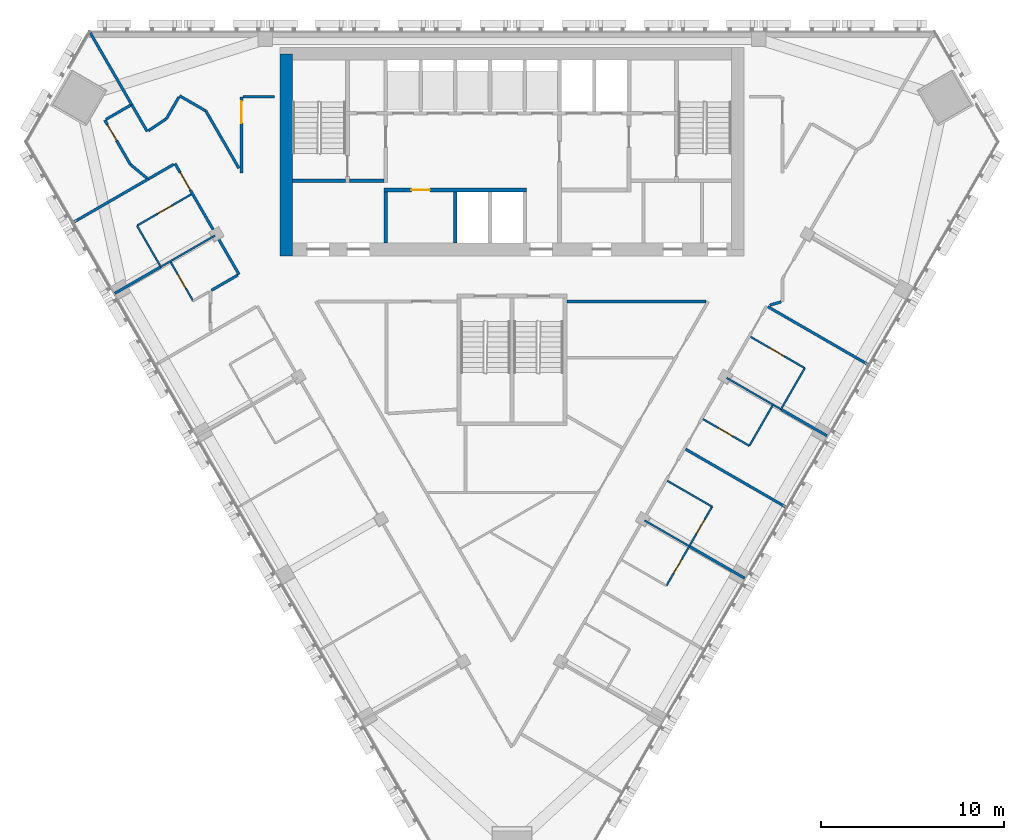
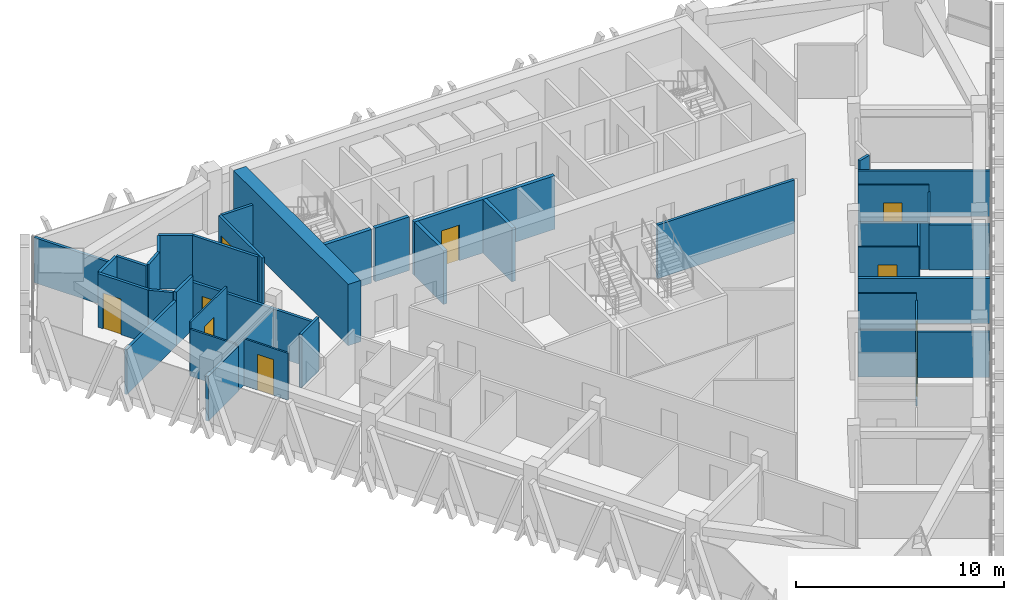
# One storey, part 10 of 16: 40 walls, 10 doors, 10 openings.
"""IFC4 building model written with IfcOpenShell, lengths in metres."""

from ifc_helpers import new_model, si_unit, direction, frame, frame_2d, origin, place, context, subcontext, project, spatial, rectangle, extrude, material, layer, layer_set, type_object, element, fill, save


model = new_model("IFC4")

# Units and contexts
model_context = context("Model", 3, precision=1e-05, world=origin(), true_north=direction((0.0, 1.0)))
body_context = subcontext(model_context, "Body", "Model", "MODEL_VIEW")
ifc_project = project(units=[si_unit("LENGTHUNIT", "METRE"), si_unit("AREAUNIT", "SQUARE_METRE"), si_unit("VOLUMEUNIT", "CUBIC_METRE"), si_unit("PLANEANGLEUNIT", "RADIAN"), si_unit("MASSUNIT", "GRAM", prefix="KILO")], contexts=[model_context])

# Site, building, storey
site_placement = place(None, origin())
site = spatial("IfcSite", under=ifc_project, at=site_placement, CompositionType="ELEMENT")
building_placement = place(site_placement, origin())
building = spatial("IfcBuilding", under=site, at=building_placement, Name="Altiplano Prism Tower", CompositionType="ELEMENT")
storey_placement = place(building_placement, frame((0.0, 0.0, 167.39990234375)))
storey = spatial("IfcBuildingStorey", under=building, at=storey_placement, Name="L43", CompositionType="ELEMENT", Elevation=167.39990234375)

# Walls
ifc_material_1 = material(Name="Concrete C60/75", Category="concrete")
ifc_layer_1 = layer(ifc_material_1, 0.699951171875)
ifc_layer_set_1 = layer_set([ifc_layer_1], Name="Concrete C60/75")
wall_type_1 = type_object("IfcWallType", Name="Core wall 700", PredefinedType="SHEAR", material=ifc_layer_set_1)
wall_1_placement = place(storey_placement, frame((72.64990234375, 103.75, 0.0), z_axis=(0.0, 0.0, 1.0), x_axis=(0.0, -1.0, 0.0)))
element("IfcWall", 1, at=wall_1_placement, inside=storey, type_object=wall_type_1, Name="Core wall W L43", PredefinedType="SHEAR", context=body_context, shape_type="SweptSolid", body=[
    extrude(rectangle(XDim=11.050048828125, YDim=0.699951171875, at=frame_2d((5.52490234375, 0.0))), origin(), (0.0, 0.0, 1.0), 3.60009765625),
])
ifc_material_2 = material(Name="Plasterboard on steel stud", Category="steel")
ifc_layer_2 = layer(ifc_material_2, 0.10009765625)
ifc_layer_set_2 = layer_set([ifc_layer_2], Name="Plasterboard on steel stud")
wall_type_2 = type_object("IfcWallType", Name="Partition 100 unit", PredefinedType="PARTITIONING", material=ifc_layer_set_2)
wall_2_placement = place(storey_placement, frame((65.74365234375, 92.15966796875, 0.0), z_axis=(0.0, 0.0, 1.0), x_axis=(-0.50001820224, 0.866014894461, 0.0)))
element("IfcWall", 2, at=wall_2_placement, inside=storey, type_object=wall_type_2, Name="Partition P02 L43 040", PredefinedType="PARTITIONING", context=body_context, shape_type="SweptSolid", body=[
    extrude(rectangle(XDim=2.52490234375, YDim=0.10009765625, at=frame_2d((1.262451171875, 0.0))), origin(), (0.0, 0.0, 1.0), 2.75),
])

# Wall, opening, door
wall_3_placement = place(storey_placement, frame((64.481201171875, 94.34619140625, 0.0), z_axis=(0.0, 0.0, 1.0), x_axis=(0.866001587311, 0.500041249073, 0.0)))
wall_3 = element("IfcWall", 3, at=wall_3_placement, inside=storey, type_object=wall_type_2, Name="Partition P02 L43 041", PredefinedType="PARTITIONING", context=body_context, shape_type="SweptSolid", body=[
    extrude(rectangle(XDim=3.425048828125, YDim=0.10009765625, at=frame_2d((1.71240234375, 0.0))), origin(), (0.0, 0.0, 1.0), 3.150146484375),
])
opening_1_placement = place(wall_3_placement, frame((1.300048828125, 0.0, 0.0)))
opening_1 = element("IfcOpeningElement", 4, at=opening_1_placement, cuts=wall_3, Name="Opening D1515", PredefinedType="OPENING", context=body_context, shape_type="SweptSolid", body=[
    extrude(rectangle(XDim=0.89990234375, YDim=2.10009765625, at=frame_2d((0.449951171875, 1.050048828125))), frame((0.0, 0.060546875, 0.0), z_axis=(0.0, -1.0, 0.0), x_axis=(1.0, 0.0, 0.0)), (0.0, 0.0, 1.0), 0.12109375),
])
ifc_material_3 = material(Name="Timber", Category="wood")
door_type_1 = type_object("IfcDoorType", Name="Accessible ensuite door 900 x 2100", OperationType="NOTDEFINED", PredefinedType="NOTDEFINED", material=ifc_material_3)
door_1_placement = place(opening_1_placement, origin())
door_1 = element("IfcDoor", 5, at=door_1_placement, inside=storey, type_object=door_type_1, Name="Door D1515", OperationType="SINGLE_SWING_RIGHT", OverallHeight=2.10009765625, OverallWidth=0.89990234375, PredefinedType="NOTDEFINED", context=body_context, shape_type="SweptSolid", body=[
    extrude(rectangle(XDim=0.89990234375, YDim=2.10009765625, at=frame_2d((0.449951171875, 1.050048828125))), frame((0.0, 0.02490234375, 0.0), z_axis=(0.0, -1.0, 0.0), x_axis=(1.0, 0.0, 0.0)), (0.0, 0.0, 1.0), 0.050048828125),
])
fill(opening_1, door_1)

wall_4_placement = place(storey_placement, frame((67.55078125, 90.2294921875, 0.0), z_axis=(0.0, 0.0, 1.0), x_axis=(-0.500018594424, 0.866014668023, 0.0)))
wall_4 = element("IfcWall", 6, at=wall_4_placement, inside=storey, type_object=wall_type_2, Name="Partition P02 L43 045", PredefinedType="PARTITIONING", context=body_context, shape_type="SweptSolid", body=[
    extrude(rectangle(XDim=2.4501953125, YDim=0.10009765625, at=frame_2d((1.22509765625, 0.0))), origin(), (0.0, 0.0, 1.0), 2.75),
])
opening_2_placement = place(wall_4_placement, frame((0.800048828125, 0.0, 0.0)))
opening_2 = element("IfcOpeningElement", 7, at=opening_2_placement, cuts=wall_4, Name="Opening D1517", PredefinedType="OPENING", context=body_context, shape_type="SweptSolid", body=[
    extrude(rectangle(XDim=0.89990234375, YDim=2.10009765625, at=frame_2d((0.449951171875, 1.050048828125))), frame((0.0, 0.060546875, 0.0), z_axis=(0.0, -1.0, 0.0), x_axis=(1.0, 0.0, 0.0)), (0.0, 0.0, 1.0), 0.12109375),
])
door_type_2 = type_object("IfcDoorType", Name="Ensuite door 900 x 2100", OperationType="NOTDEFINED", PredefinedType="NOTDEFINED", material=ifc_material_3)
door_2_placement = place(opening_2_placement, origin())
door_2 = element("IfcDoor", 8, at=door_2_placement, inside=storey, type_object=door_type_2, Name="Door D1517", OperationType="SINGLE_SWING_LEFT", OverallHeight=2.10009765625, OverallWidth=0.89990234375, PredefinedType="NOTDEFINED", context=body_context, shape_type="SweptSolid", body=[
    extrude(rectangle(XDim=0.89990234375, YDim=2.10009765625, at=frame_2d((0.449951171875, 1.050048828125))), frame((0.0, 0.02490234375, 0.0), z_axis=(0.0, -1.0, 0.0), x_axis=(1.0, 0.0, 0.0)), (0.0, 0.0, 1.0), 0.050048828125),
])
fill(opening_2, door_2)

# Wall
wall_5_placement = place(storey_placement, frame((93.502685546875, 80.3837890625, 0.0), z_axis=(0.0, 0.0, 1.0), x_axis=(0.866011447264, -0.500024172624, 0.0)))
element("IfcWall", 9, at=wall_5_placement, inside=storey, type_object=wall_type_2, Name="Partition P02 L43 064", PredefinedType="PARTITIONING", context=body_context, shape_type="SweptSolid", body=[
    extrude(rectangle(XDim=2.824951171875, YDim=0.10009765625, at=frame_2d((1.41259765625, 0.0))), origin(), (0.0, 0.0, 1.0), 3.150146484375),
])

# Wall, openings, doors
wall_6_placement = place(storey_placement, frame((95.94921875, 78.97119140625, 0.0), z_axis=(0.0, 0.0, 1.0), x_axis=(-0.500004234368, -0.866022959057, 0.0)))
wall_6 = element("IfcWall", 10, at=wall_6_placement, inside=storey, type_object=wall_type_2, Name="Partition P02 L43 065", PredefinedType="PARTITIONING", context=body_context, shape_type="SweptSolid", body=[
    extrude(rectangle(XDim=5.0, YDim=0.10009765625, at=frame_2d((2.5, 0.0))), origin(), (0.0, 0.0, 1.0), 2.75),
])
opening_3_placement = place(wall_6_placement, frame((3.300048828125, 0.0, 0.0)))
opening_3 = element("IfcOpeningElement", 11, at=opening_3_placement, cuts=wall_6, Name="Opening D1529", PredefinedType="OPENING", context=body_context, shape_type="SweptSolid", body=[
    extrude(rectangle(XDim=0.89990234375, YDim=2.10009765625, at=frame_2d((0.449951171875, 1.050048828125))), frame((0.0, 0.060546875, 0.0), z_axis=(0.0, -1.0, 0.0), x_axis=(1.0, 0.0, 0.0)), (0.0, 0.0, 1.0), 0.12109375),
])
opening_4_placement = place(wall_6_placement, frame((0.800048828125, 0.0, 0.0)))
opening_4 = element("IfcOpeningElement", 12, at=opening_4_placement, cuts=wall_6, Name="Opening D1531", PredefinedType="OPENING", context=body_context, shape_type="SweptSolid", body=[
    extrude(rectangle(XDim=0.89990234375, YDim=2.10009765625, at=frame_2d((0.449951171875, 1.050048828125))), frame((0.0, 0.060546875, 0.0), z_axis=(0.0, -1.0, 0.0), x_axis=(1.0, 0.0, 0.0)), (0.0, 0.0, 1.0), 0.12109375),
])
door_3_placement = place(opening_3_placement, origin())
door_3 = element("IfcDoor", 13, at=door_3_placement, inside=storey, type_object=door_type_2, Name="Door D1529", OperationType="SINGLE_SWING_LEFT", OverallHeight=2.10009765625, OverallWidth=0.89990234375, PredefinedType="NOTDEFINED", context=body_context, shape_type="SweptSolid", body=[
    extrude(rectangle(XDim=0.89990234375, YDim=2.10009765625, at=frame_2d((0.449951171875, 1.050048828125))), frame((0.0, 0.02490234375, 0.0), z_axis=(0.0, -1.0, 0.0), x_axis=(1.0, 0.0, 0.0)), (0.0, 0.0, 1.0), 0.050048828125),
])
fill(opening_3, door_3)
door_4_placement = place(opening_4_placement, origin())
door_4 = element("IfcDoor", 14, at=door_4_placement, inside=storey, type_object=door_type_2, Name="Door D1531", OperationType="SINGLE_SWING_LEFT", OverallHeight=2.10009765625, OverallWidth=0.89990234375, PredefinedType="NOTDEFINED", context=body_context, shape_type="SweptSolid", body=[
    extrude(rectangle(XDim=0.89990234375, YDim=2.10009765625, at=frame_2d((0.449951171875, 1.050048828125))), frame((0.0, 0.02490234375, 0.0), z_axis=(0.0, -1.0, 0.0), x_axis=(1.0, 0.0, 0.0)), (0.0, 0.0, 1.0), 0.050048828125),
])
fill(opening_4, door_4)

# Wall
wall_7_placement = place(storey_placement, frame((99.2607421875, 84.507080078125, 0.0), z_axis=(0.0, 0.0, 1.0), x_axis=(-0.499990435942, -0.866030925526, 0.0)))
element("IfcWall", 15, at=wall_7_placement, inside=storey, type_object=wall_type_2, Name="Partition P02 L43 067", PredefinedType="PARTITIONING", context=body_context, shape_type="SweptSolid", body=[
    extrude(rectangle(XDim=2.5498046875, YDim=0.10009765625, at=frame_2d((1.27490234375, 0.0))), origin(), (0.0, 0.0, 1.0), 2.75),
])

# Wall, opening, door
wall_8_placement = place(storey_placement, frame((97.98583984375, 82.298828125, 0.0), z_axis=(0.0, 0.0, 1.0), x_axis=(-0.866046596414, 0.499963291492, 0.0)))
wall_8 = element("IfcWall", 16, at=wall_8_placement, inside=storey, type_object=wall_type_2, Name="Partition P02 L43 068", PredefinedType="PARTITIONING", context=body_context, shape_type="SweptSolid", body=[
    extrude(rectangle(XDim=2.925048828125, YDim=0.10009765625, at=frame_2d((1.46240234375, 0.0))), origin(), (0.0, 0.0, 1.0), 3.150146484375),
])
opening_5_placement = place(wall_8_placement, frame((1.050048828125, 0.0, 0.0)))
opening_5 = element("IfcOpeningElement", 17, at=opening_5_placement, cuts=wall_8, Name="Opening D1533", PredefinedType="OPENING", context=body_context, shape_type="SweptSolid", body=[
    extrude(rectangle(XDim=0.89990234375, YDim=2.10009765625, at=frame_2d((0.449951171875, 1.050048828125))), frame((0.0, 0.060546875, 0.0), z_axis=(0.0, -1.0, 0.0), x_axis=(1.0, 0.0, 0.0)), (0.0, 0.0, 1.0), 0.12109375),
])
door_5_placement = place(opening_5_placement, origin())
door_5 = element("IfcDoor", 18, at=door_5_placement, inside=storey, type_object=door_type_2, Name="Door D1533", OperationType="SINGLE_SWING_RIGHT", OverallHeight=2.10009765625, OverallWidth=0.89990234375, PredefinedType="NOTDEFINED", context=body_context, shape_type="SweptSolid", body=[
    extrude(rectangle(XDim=0.89990234375, YDim=2.10009765625, at=frame_2d((0.449951171875, 1.050048828125))), frame((0.0, 0.02490234375, 0.0), z_axis=(0.0, -1.0, 0.0), x_axis=(1.0, 0.0, 0.0)), (0.0, 0.0, 1.0), 0.050048828125),
])
fill(opening_5, door_5)

wall_9_placement = place(storey_placement, frame((98.052734375, 88.2646484375, 0.0), z_axis=(0.0, 0.0, 1.0), x_axis=(0.866001587311, -0.500041249073, 0.0)))
wall_9 = element("IfcWall", 19, at=wall_9_placement, inside=storey, type_object=wall_type_2, Name="Partition P02 L43 071", PredefinedType="PARTITIONING", context=body_context, shape_type="SweptSolid", body=[
    extrude(rectangle(XDim=3.425048828125, YDim=0.10009765625, at=frame_2d((1.71240234375, 0.0))), origin(), (0.0, 0.0, 1.0), 3.150146484375),
])
opening_6_placement = place(wall_9_placement, frame((1.22509765625, 0.0, 0.0)))
opening_6 = element("IfcOpeningElement", 20, at=opening_6_placement, cuts=wall_9, Name="Opening D1535", PredefinedType="OPENING", context=body_context, shape_type="SweptSolid", body=[
    extrude(rectangle(XDim=0.89990234375, YDim=2.10009765625, at=frame_2d((0.449951171875, 1.050048828125))), frame((0.0, 0.060546875, 0.0), z_axis=(0.0, -1.0, 0.0), x_axis=(1.0, 0.0, 0.0)), (0.0, 0.0, 1.0), 0.12109375),
])
door_6_placement = place(opening_6_placement, origin())
door_6 = element("IfcDoor", 21, at=door_6_placement, inside=storey, type_object=door_type_1, Name="Door D1535", OperationType="SINGLE_SWING_RIGHT", OverallHeight=2.10009765625, OverallWidth=0.89990234375, PredefinedType="NOTDEFINED", context=body_context, shape_type="SweptSolid", body=[
    extrude(rectangle(XDim=0.89990234375, YDim=2.10009765625, at=frame_2d((0.449951171875, 1.050048828125))), frame((0.0, 0.02490234375, 0.0), z_axis=(0.0, -1.0, 0.0), x_axis=(1.0, 0.0, 0.0)), (0.0, 0.0, 1.0), 0.050048828125),
])
fill(opening_6, door_6)

# Walls
wall_10_placement = place(storey_placement, frame((101.018798828125, 86.552001953125, 0.0), z_axis=(0.0, 0.0, 1.0), x_axis=(-0.500006934395, -0.866021400173, 0.0)))
element("IfcWall", 22, at=wall_10_placement, inside=storey, type_object=wall_type_2, Name="Partition P02 L43 072", PredefinedType="PARTITIONING", context=body_context, shape_type="SweptSolid", body=[
    extrude(rectangle(XDim=2.60009765625, YDim=0.10009765625, at=frame_2d((1.300048828125, 0.0))), origin(), (0.0, 0.0, 1.0), 2.75),
])
ifc_layer_3 = layer(ifc_material_2, 0.10009765625)
ifc_layer_set_3 = layer_set([ifc_layer_3], Name="Plasterboard on steel stud")
wall_type_3 = type_object("IfcWallType", Name="Partition 100 wet", PredefinedType="PARTITIONING", material=ifc_layer_set_3)
wall_11_placement = place(storey_placement, frame((65.763916015625, 92.084716796875, 0.0), z_axis=(0.0, 0.0, 1.0), x_axis=(0.866032163869, 0.499988291006, 0.0)))
element("IfcWall", 23, at=wall_11_placement, inside=storey, type_object=wall_type_3, Name="Partition P03 L43 043", PredefinedType="PARTITIONING", context=body_context, shape_type="SweptSolid", body=[
    extrude(rectangle(XDim=3.44482421875, YDim=0.10009765625, at=frame_2d((1.722412109375, 0.0))), origin(), (0.0, 0.0, 1.0), 2.75),
])
wall_12_placement = place(storey_placement, frame((94.656005859375, 76.831298828125, 0.0), z_axis=(0.0, 0.0, 1.0), x_axis=(-0.866042014628, 0.499971228071, 0.0)))
element("IfcWall", 24, at=wall_12_placement, inside=storey, type_object=wall_type_3, Name="Partition P03 L43 063", PredefinedType="PARTITIONING", context=body_context, shape_type="SweptSolid", body=[
    extrude(rectangle(XDim=2.775146484375, YDim=0.10009765625, at=frame_2d((1.3876953125, 0.0))), origin(), (0.0, 0.0, 1.0), 2.75),
])
wall_13_placement = place(storey_placement, frame((99.71875, 84.30029296875, 0.0), z_axis=(0.0, 0.0, 1.0), x_axis=(-0.866001587311, 0.500041249073, 0.0)))
element("IfcWall", 25, at=wall_13_placement, inside=storey, type_object=wall_type_3, Name="Partition P03 L43 070", PredefinedType="PARTITIONING", context=body_context, shape_type="SweptSolid", body=[
    extrude(rectangle(XDim=3.425048828125, YDim=0.10009765625, at=frame_2d((1.71240234375, 0.0))), origin(), (0.0, 0.0, 1.0), 2.75),
])
ifc_layer_4 = layer(ifc_material_2, 0.14990234375)
ifc_layer_set_4 = layer_set([ifc_layer_4], Name="Plasterboard on steel stud")
wall_type_4 = type_object("IfcWallType", Name="Partition 150 corridor", PredefinedType="PARTITIONING", material=ifc_layer_set_4)
wall_14_placement = place(storey_placement, frame((64.124755859375, 100.934814453125, 0.0), z_axis=(0.0, 0.0, 1.0), x_axis=(-0.865975732936, -0.500086022567, 0.0)))
element("IfcWall", 26, at=wall_14_placement, inside=storey, type_object=wall_type_4, Name="Partition P06 L43 004", PredefinedType="PARTITIONING", context=body_context, shape_type="SweptSolid", body=[
    extrude(rectangle(XDim=1.550048828125, YDim=0.14990234375, at=frame_2d((0.77490234375, 0.0))), origin(), (0.0, 0.0, 1.0), 3.150146484375),
])

# Wall, opening, door
wall_15_placement = place(storey_placement, frame((62.717529296875, 100.122314453125, 0.0), z_axis=(0.0, 0.0, 1.0), x_axis=(0.499961213752, -0.866047795877, 0.0)))
wall_15 = element("IfcWall", 27, at=wall_15_placement, inside=storey, type_object=wall_type_4, Name="Partition P06 L43 005", PredefinedType="PARTITIONING", context=body_context, shape_type="SweptSolid", body=[
    extrude(rectangle(XDim=2.802978515625, YDim=0.14990234375, at=frame_2d((1.4013671875, 0.0))), origin(), (0.0, 0.0, 1.0), 3.150146484375),
])
opening_7_placement = place(wall_15_placement, frame((0.297119140625, 0.0, 0.0)))
opening_7 = element("IfcOpeningElement", 28, at=opening_7_placement, cuts=wall_15, Name="Opening D1513", PredefinedType="OPENING", context=body_context, shape_type="SweptSolid", body=[
    extrude(rectangle(XDim=1.0, YDim=2.10009765625, at=frame_2d((0.5, 1.050048828125))), frame((0.0, 0.08544921875, 0.0), z_axis=(0.0, -1.0, 0.0), x_axis=(1.0, 0.0, 0.0)), (0.0, 0.0, 1.0), 0.1708984375),
])
door_type_3 = type_object("IfcDoorType", Name="Room door 1000 x 2100", OperationType="NOTDEFINED", PredefinedType="NOTDEFINED", material=ifc_material_3)
door_7_placement = place(opening_7_placement, origin())
door_7 = element("IfcDoor", 29, at=door_7_placement, inside=storey, type_object=door_type_3, Name="Door D1513", OperationType="SINGLE_SWING_LEFT", OverallHeight=2.10009765625, OverallWidth=1.0, PredefinedType="NOTDEFINED", context=body_context, shape_type="SweptSolid", body=[
    extrude(rectangle(XDim=1.0, YDim=2.10009765625, at=frame_2d((0.5, 1.050048828125))), frame((0.0, 0.02490234375, 0.0), z_axis=(0.0, -1.0, 0.0), x_axis=(1.0, 0.0, 0.0)), (0.0, 0.0, 1.0), 0.050048828125),
])
fill(opening_7, door_7)

# Walls
wall_16_placement = place(storey_placement, frame((64.118896484375, 97.69482421875, 0.0), z_axis=(0.0, 0.0, 1.0), x_axis=(0.770653073213, -0.637254926028, 0.0)))
element("IfcWall", 30, at=wall_16_placement, inside=storey, type_object=wall_type_4, Name="Partition P06 L43 006", PredefinedType="PARTITIONING", context=body_context, shape_type="SweptSolid", body=[
    extrude(rectangle(XDim=1.182373046875, YDim=0.14990234375, at=frame_2d((0.59130859375, 0.0))), origin(), (0.0, 0.0, 1.0), 3.150146484375),
])
wall_17_placement = place(storey_placement, frame((65.107177734375, 96.90185546875, 0.0), z_axis=(0.0, 0.0, 1.0), x_axis=(0.866053882819, 0.499950669621, 0.0)))
element("IfcWall", 31, at=wall_17_placement, inside=storey, type_object=wall_type_4, Name="Partition P06 L43 007", PredefinedType="PARTITIONING", context=body_context, shape_type="SweptSolid", body=[
    extrude(rectangle(XDim=1.605224609375, YDim=0.14990234375, at=frame_2d((0.802734375, 0.0))), origin(), (0.0, 0.0, 1.0), 3.150146484375),
])

# Wall, opening, door
wall_18_placement = place(storey_placement, frame((66.562255859375, 97.74169921875, 0.0), z_axis=(0.0, 0.0, 1.0), x_axis=(0.500010275428, -0.866019471182, 0.0)))
wall_18 = element("IfcWall", 32, at=wall_18_placement, inside=storey, type_object=wall_type_4, Name="Partition P06 L43 008", PredefinedType="PARTITIONING", context=body_context, shape_type="SweptSolid", body=[
    extrude(rectangle(XDim=6.999755859375, YDim=0.14990234375, at=frame_2d((3.5, 0.0))), origin(), (0.0, 0.0, 1.0), 2.75),
])
opening_8_placement = place(wall_18_placement, frame((0.571044921875, 0.0, 0.0)))
opening_8 = element("IfcOpeningElement", 33, at=opening_8_placement, cuts=wall_18, Name="Opening D1514", PredefinedType="OPENING", context=body_context, shape_type="SweptSolid", body=[
    extrude(rectangle(XDim=1.10009765625, YDim=2.10009765625, at=frame_2d((0.550048828125, 1.050048828125))), frame((0.0, 0.08544921875, 0.0), z_axis=(0.0, -1.0, 0.0), x_axis=(1.0, 0.0, 0.0)), (0.0, 0.0, 1.0), 0.1708984375),
])
door_type_4 = type_object("IfcDoorType", Name="Accessible bedroom door 1100 x 2100", OperationType="NOTDEFINED", PredefinedType="NOTDEFINED", material=ifc_material_3)
door_8_placement = place(opening_8_placement, origin())
door_8 = element("IfcDoor", 34, at=door_8_placement, inside=storey, type_object=door_type_4, Name="Door D1514", OperationType="SINGLE_SWING_LEFT", OverallHeight=2.10009765625, OverallWidth=1.10009765625, PredefinedType="NOTDEFINED", context=body_context, shape_type="SweptSolid", body=[
    extrude(rectangle(XDim=1.10009765625, YDim=2.10009765625, at=frame_2d((0.550048828125, 1.050048828125))), frame((0.0, 0.02490234375, 0.0), z_axis=(0.0, -1.0, 0.0), x_axis=(1.0, 0.0, 0.0)), (0.0, 0.0, 1.0), 0.050048828125),
])
fill(opening_8, door_8)

# Walls
wall_19_placement = place(storey_placement, frame((69.997314453125, 91.64208984375, 0.0), z_axis=(0.0, 0.0, 1.0), x_axis=(-0.866031670005, -0.49998914643, 0.0)))
element("IfcWall", 35, at=wall_19_placement, inside=storey, type_object=wall_type_4, Name="Partition P06 L43 010", PredefinedType="PARTITIONING", context=body_context, shape_type="SweptSolid", body=[
    extrude(rectangle(XDim=1.6640625, YDim=0.14990234375, at=frame_2d((0.83203125, 0.0))), origin(), (0.0, 0.0, 1.0), 3.150146484375),
])
wall_20_placement = place(storey_placement, frame((99.10595703125, 89.996826171875, 0.0), z_axis=(0.0, 0.0, 1.0), x_axis=(0.959764519171, 0.280806103461, 0.0)))
element("IfcWall", 36, at=wall_20_placement, inside=storey, type_object=wall_type_4, Name="Partition P06 L43 014", PredefinedType="PARTITIONING", context=body_context, shape_type="SweptSolid", body=[
    extrude(rectangle(XDim=0.651123046875, YDim=0.14990234375, at=frame_2d((0.32568359375, 0.0))), origin(), (0.0, 0.0, 1.0), 3.150146484375),
])
wall_21_placement = place(storey_placement, frame((72.0, 101.39990234375, 0.0), z_axis=(0.0, 0.0, 1.0), x_axis=(-1.0, 0.0, 0.0)))
element("IfcWall", 37, at=wall_21_placement, inside=storey, type_object=wall_type_4, Name="Partition P06 L43 021", PredefinedType="PARTITIONING", context=body_context, shape_type="SweptSolid", body=[
    extrude(rectangle(XDim=1.72509765625, YDim=0.14990234375, at=frame_2d((0.862548828125, 0.0))), origin(), (0.0, 0.0, 1.0), 3.150146484375),
])

# Wall, opening, door
wall_22_placement = place(storey_placement, frame((70.199951171875, 101.39990234375, 0.0), z_axis=(0.0, 0.0, 1.0), x_axis=(0.0, -1.0, 0.0)))
wall_22 = element("IfcWall", 38, at=wall_22_placement, inside=storey, type_object=wall_type_4, Name="Partition P06 L43 022", PredefinedType="PARTITIONING", context=body_context, shape_type="SweptSolid", body=[
    extrude(rectangle(XDim=4.158935546875, YDim=0.14990234375, at=frame_2d((2.07958984375, 0.0))), origin(), (0.0, 0.0, 1.0), 3.150146484375),
])
opening_9_placement = place(wall_22_placement, frame((0.236083984375, 0.0, 0.0)))
opening_9 = element("IfcOpeningElement", 39, at=opening_9_placement, cuts=wall_22, Name="Opening D1539", PredefinedType="OPENING", context=body_context, shape_type="SweptSolid", body=[
    extrude(rectangle(XDim=1.199951171875, YDim=2.10009765625, at=frame_2d((0.60009765625, 1.050048828125))), frame((0.0, 0.08544921875, 0.0), z_axis=(0.0, -1.0, 0.0), x_axis=(1.0, 0.0, 0.0)), (0.0, 0.0, 1.0), 0.1708984375),
])
door_type_5 = type_object("IfcDoorType", Name="Shared room door 1200 x 2100", OperationType="NOTDEFINED", PredefinedType="NOTDEFINED", material=ifc_material_3)
door_9_placement = place(opening_9_placement, origin())
door_9 = element("IfcDoor", 40, at=door_9_placement, inside=storey, type_object=door_type_5, Name="Door D1539", OperationType="SINGLE_SWING_LEFT", OverallHeight=2.10009765625, OverallWidth=1.199951171875, PredefinedType="NOTDEFINED", context=body_context, shape_type="SweptSolid", body=[
    extrude(rectangle(XDim=1.199951171875, YDim=2.10009765625, at=frame_2d((0.60009765625, 1.050048828125))), frame((0.0, 0.02490234375, 0.0), z_axis=(0.0, -1.0, 0.0), x_axis=(1.0, 0.0, 0.0)), (0.0, 0.0, 1.0), 0.050048828125),
])
fill(opening_9, door_9)

# Walls
wall_23_placement = place(storey_placement, frame((70.06005859375, 97.4833984375, 0.0), z_axis=(0.0, 0.0, 1.0), x_axis=(-0.500013916395, 0.866017369001, 0.0)))
element("IfcWall", 41, at=wall_23_placement, inside=storey, type_object=wall_type_4, Name="Partition P06 L43 023", PredefinedType="PARTITIONING", context=body_context, shape_type="SweptSolid", body=[
    extrude(rectangle(XDim=3.62548828125, YDim=0.14990234375, at=frame_2d((1.812744140625, 0.0))), origin(), (0.0, 0.0, 1.0), 3.150146484375),
])
wall_24_placement = place(storey_placement, frame((68.247314453125, 100.623046875, 0.0), z_axis=(0.0, 0.0, 1.0), x_axis=(-0.866011236992, 0.500024536802, 0.0)))
element("IfcWall", 42, at=wall_24_placement, inside=storey, type_object=wall_type_4, Name="Partition P06 L43 024", PredefinedType="PARTITIONING", context=body_context, shape_type="SweptSolid", body=[
    extrude(rectangle(XDim=1.65576171875, YDim=0.14990234375, at=frame_2d((0.827880859375, 0.0))), origin(), (0.0, 0.0, 1.0), 3.150146484375),
])
wall_25_placement = place(storey_placement, frame((66.77587890625, 101.385986328125, 0.0), z_axis=(0.0, 0.0, 1.0), x_axis=(-0.499958106649, -0.866049589571, 0.0)))
element("IfcWall", 43, at=wall_25_placement, inside=storey, type_object=wall_type_4, Name="Partition P06 L43 025", PredefinedType="PARTITIONING", context=body_context, shape_type="SweptSolid", body=[
    extrude(rectangle(XDim=1.375, YDim=0.14990234375, at=frame_2d((0.6875, 0.0))), origin(), (0.0, 0.0, 1.0), 3.150146484375),
])
wall_26_placement = place(storey_placement, frame((66.08837890625, 100.195068359375, 0.0), z_axis=(0.0, 0.0, 1.0), x_axis=(-0.833577242452, -0.552402915331, 0.0)))
element("IfcWall", 44, at=wall_26_placement, inside=storey, type_object=wall_type_4, Name="Partition P06 L43 026", PredefinedType="PARTITIONING", context=body_context, shape_type="SweptSolid", body=[
    extrude(rectangle(XDim=1.17822265625, YDim=0.14990234375, at=frame_2d((0.589111328125, 0.0))), origin(), (0.0, 0.0, 1.0), 3.150146484375),
])
wall_27_placement = place(storey_placement, frame((65.039794921875, 99.5, 0.0), z_axis=(0.0, 0.0, 1.0), x_axis=(-0.500062097304, 0.865989548921, 0.0)))
element("IfcWall", 45, at=wall_27_placement, inside=storey, type_object=wall_type_4, Name="Partition P06 L43 027", PredefinedType="PARTITIONING", context=body_context, shape_type="SweptSolid", body=[
    extrude(rectangle(XDim=1.679931640625, YDim=0.14990234375, at=frame_2d((0.83984375, 0.0))), origin(), (0.0, 0.0, 1.0), 3.150146484375),
])
wall_28_placement = place(storey_placement, frame((88.0, 90.199951171875, 0.0), z_axis=(0.0, 0.0, 1.0), x_axis=(1.0, 0.0, 0.0)))
element("IfcWall", 46, at=wall_28_placement, inside=storey, type_object=wall_type_4, Name="Partition P06 L43 028", PredefinedType="PARTITIONING", context=body_context, shape_type="SweptSolid", body=[
    extrude(rectangle(XDim=7.60498046875, YDim=0.14990234375, at=frame_2d((3.802490234375, 0.0))), origin(), (0.0, 0.0, 1.0), 3.150146484375),
])
ifc_layer_5 = layer(ifc_material_2, 0.14990234375)
ifc_layer_set_5 = layer_set([ifc_layer_5], Name="Plasterboard on steel stud")
wall_type_5 = type_object("IfcWallType", Name="Partition 150 party", PredefinedType="PARTITIONING", material=ifc_layer_set_5)
wall_29_placement = place(storey_placement, frame((61.002197265625, 94.53173828125, 0.0), z_axis=(0.0, 0.0, 1.0), x_axis=(0.866015756104, 0.5000167099, 0.0)))
element("IfcWall", 47, at=wall_29_placement, inside=storey, type_object=wall_type_5, Name="Partition P01 L43 038", PredefinedType="PARTITIONING", context=body_context, shape_type="SweptSolid", body=[
    extrude(rectangle(XDim=4.739990234375, YDim=0.14990234375, at=frame_2d((2.3701171875, 0.0))), origin(), (0.0, 0.0, 1.0), 2.650146484375),
])
wall_30_placement = place(storey_placement, frame((64.19970703125, 100.954833984375, 0.0), z_axis=(0.0, 0.0, 1.0), x_axis=(-0.499983800959, 0.866034756103, 0.0)))
element("IfcWall", 48, at=wall_30_placement, inside=storey, type_object=wall_type_5, Name="Partition P01 L43 039", PredefinedType="PARTITIONING", context=body_context, shape_type="SweptSolid", body=[
    extrude(rectangle(XDim=4.555419921875, YDim=0.14990234375, at=frame_2d((2.27783203125, 0.0))), origin(), (0.0, 0.0, 1.0), 2.650146484375),
])
wall_31_placement = place(storey_placement, frame((63.269775390625, 90.64453125, 0.0), z_axis=(0.0, 0.0, 1.0), x_axis=(0.865975318022, 0.500086741053, 0.0)))
element("IfcWall", 49, at=wall_31_placement, inside=storey, type_object=wall_type_5, Name="Partition P01 L43 042", PredefinedType="PARTITIONING", context=body_context, shape_type="SweptSolid", body=[
    extrude(rectangle(XDim=2.919921875, YDim=0.14990234375, at=frame_2d((1.4599609375, 0.0))), origin(), (0.0, 0.0, 1.0), 2.650146484375),
])
wall_32_placement = place(storey_placement, frame((97.730224609375, 75.05615234375, 0.0), z_axis=(0.0, 0.0, 1.0), x_axis=(-0.866013532718, 0.500020560727, 0.0)))
element("IfcWall", 50, at=wall_32_placement, inside=storey, type_object=wall_type_5, Name="Partition P01 L43 062", PredefinedType="PARTITIONING", context=body_context, shape_type="SweptSolid", body=[
    extrude(rectangle(XDim=3.449951171875, YDim=0.14990234375, at=frame_2d((1.72509765625, 0.0))), origin(), (0.0, 0.0, 1.0), 2.650146484375),
])
wall_33_placement = place(storey_placement, frame((99.997802734375, 78.943115234375, 0.0), z_axis=(0.0, 0.0, 1.0), x_axis=(-0.866025401434, 0.500000004071, 0.0)))
element("IfcWall", 51, at=wall_33_placement, inside=storey, type_object=wall_type_5, Name="Partition P01 L43 066", PredefinedType="PARTITIONING", context=body_context, shape_type="SweptSolid", body=[
    extrude(rectangle(XDim=6.34521484375, YDim=0.14990234375, at=frame_2d((3.172607421875, 0.0))), origin(), (0.0, 0.0, 1.0), 2.650146484375),
])
wall_34_placement = place(storey_placement, frame((102.230224609375, 82.850341796875, 0.0), z_axis=(0.0, 0.0, 1.0), x_axis=(-0.866032775405, 0.499987231761, 0.0)))
element("IfcWall", 52, at=wall_34_placement, inside=storey, type_object=wall_type_5, Name="Partition P01 L43 069", PredefinedType="PARTITIONING", context=body_context, shape_type="SweptSolid", body=[
    extrude(rectangle(XDim=2.89990234375, YDim=0.14990234375, at=frame_2d((1.449951171875, 0.0))), origin(), (0.0, 0.0, 1.0), 2.650146484375),
])
wall_35_placement = place(storey_placement, frame((104.497802734375, 86.7373046875, 0.0), z_axis=(0.0, 0.0, 1.0), x_axis=(-0.866025401434, 0.500000004071, 0.0)))
element("IfcWall", 53, at=wall_35_placement, inside=storey, type_object=wall_type_5, Name="Partition P01 L43 073", PredefinedType="PARTITIONING", context=body_context, shape_type="SweptSolid", body=[
    extrude(rectangle(XDim=6.34521484375, YDim=0.14990234375, at=frame_2d((3.172607421875, 0.0))), origin(), (0.0, 0.0, 1.0), 2.650146484375),
])
ifc_layer_6 = layer(ifc_material_1, 0.199951171875)
ifc_layer_set_6 = layer_set([ifc_layer_6], Name="Concrete C60/75")
wall_type_6 = type_object("IfcWallType", Name="Shaft wall 200", PredefinedType="SOLIDWALL", material=ifc_layer_set_6)
wall_36_placement = place(storey_placement, frame((81.89990234375, 93.39990234375, 0.0), z_axis=(0.0, 0.0, 1.0), x_axis=(0.0, 1.0, 0.0)))
element("IfcWall", 54, at=wall_36_placement, inside=storey, type_object=wall_type_6, Name="Shaft wall L43", PredefinedType="SOLIDWALL", context=body_context, shape_type="SweptSolid", body=[
    extrude(rectangle(XDim=2.800048828125, YDim=0.199951171875, at=frame_2d((1.39990234375, 0.0))), origin(), (0.0, 0.0, 1.0), 3.150146484375),
])

# Wall, opening, door
wall_37_placement = place(storey_placement, frame((78.0, 96.300048828125, 0.0), z_axis=(0.0, 0.0, 1.0), x_axis=(1.0, 0.0, 0.0)))
wall_37 = element("IfcWall", 55, at=wall_37_placement, inside=storey, type_object=wall_type_6, Name="Shaft wall L43", PredefinedType="SOLIDWALL", context=body_context, shape_type="SweptSolid", body=[
    extrude(rectangle(XDim=7.800048828125, YDim=0.199951171875, at=frame_2d((3.89990234375, 0.0))), origin(), (0.0, 0.0, 1.0), 3.150146484375),
])
opening_10_placement = place(wall_37_placement, frame((1.5, 0.0, 0.0)))
opening_10 = element("IfcOpeningElement", 56, at=opening_10_placement, cuts=wall_37, Name="Opening D3181", PredefinedType="OPENING", context=body_context, shape_type="SweptSolid", body=[
    extrude(rectangle(XDim=1.0, YDim=2.10009765625, at=frame_2d((0.5, 1.050048828125))), frame((0.0, 0.1103515625, 0.0), z_axis=(0.0, -1.0, 0.0), x_axis=(1.0, 0.0, 0.0)), (0.0, 0.0, 1.0), 0.220947265625),
])
ifc_material_4 = material(Name="Fire-rated steel door", Category="steel")
door_type_6 = type_object("IfcDoorType", Name="Core room door 1000 x 2100", OperationType="NOTDEFINED", PredefinedType="NOTDEFINED", material=ifc_material_4)
door_10_placement = place(opening_10_placement, origin())
door_10 = element("IfcDoor", 57, at=door_10_placement, inside=storey, type_object=door_type_6, Name="Core room door D3181", OperationType="SINGLE_SWING_RIGHT", OverallHeight=2.10009765625, OverallWidth=1.0, PredefinedType="NOTDEFINED", context=body_context, shape_type="SweptSolid", body=[
    extrude(rectangle(XDim=1.0, YDim=2.10009765625, at=frame_2d((0.5, 1.050048828125))), frame((0.0, 0.02490234375, 0.0), z_axis=(0.0, -1.0, 0.0), x_axis=(1.0, 0.0, 0.0)), (0.0, 0.0, 1.0), 0.050048828125),
])
fill(opening_10, door_10)

# Walls
ifc_layer_7 = layer(ifc_material_1, 0.199951171875)
ifc_layer_set_7 = layer_set([ifc_layer_7], Name="Concrete C60/75")
wall_type_7 = type_object("IfcWallType", Name="Stair wall 200", PredefinedType="SOLIDWALL", material=ifc_layer_set_7)
wall_38_placement = place(storey_placement, frame((73.0, 96.800048828125, 0.0), z_axis=(0.0, 0.0, 1.0), x_axis=(1.0, 0.0, 0.0)))
element("IfcWall", 58, at=wall_38_placement, inside=storey, type_object=wall_type_7, Name="Stair wall L43", PredefinedType="SOLIDWALL", context=body_context, shape_type="SweptSolid", body=[
    extrude(rectangle(XDim=2.89990234375, YDim=0.199951171875, at=frame_2d((1.449951171875, 0.0))), origin(), (0.0, 0.0, 1.0), 3.150146484375),
])
ifc_layer_8 = layer(ifc_material_1, 0.199951171875)
ifc_layer_set_8 = layer_set([ifc_layer_8], Name="Concrete C60/75")
wall_type_8 = type_object("IfcWallType", Name="Vestibule wall 200", PredefinedType="PARTITIONING", material=ifc_layer_set_8)
wall_39_placement = place(storey_placement, frame((78.10009765625, 93.39990234375, 0.0), z_axis=(0.0, 0.0, 1.0), x_axis=(0.0, 1.0, 0.0)))
element("IfcWall", 59, at=wall_39_placement, inside=storey, type_object=wall_type_8, Name="Vestibule wall L43", PredefinedType="PARTITIONING", context=body_context, shape_type="SweptSolid", body=[
    extrude(rectangle(XDim=2.800048828125, YDim=0.199951171875, at=frame_2d((1.39990234375, 0.0))), origin(), (0.0, 0.0, 1.0), 3.150146484375),
])
wall_40_placement = place(storey_placement, frame((76.10009765625, 96.800048828125, 0.0), z_axis=(0.0, 0.0, 1.0), x_axis=(1.0, 0.0, 0.0)))
element("IfcWall", 60, at=wall_40_placement, inside=storey, type_object=wall_type_8, Name="Vestibule wall L43", PredefinedType="PARTITIONING", context=body_context, shape_type="SweptSolid", body=[
    extrude(rectangle(XDim=1.89990234375, YDim=0.199951171875, at=frame_2d((0.949951171875, 0.0))), origin(), (0.0, 0.0, 1.0), 3.150146484375),
])

save(model, "model.ifc")
